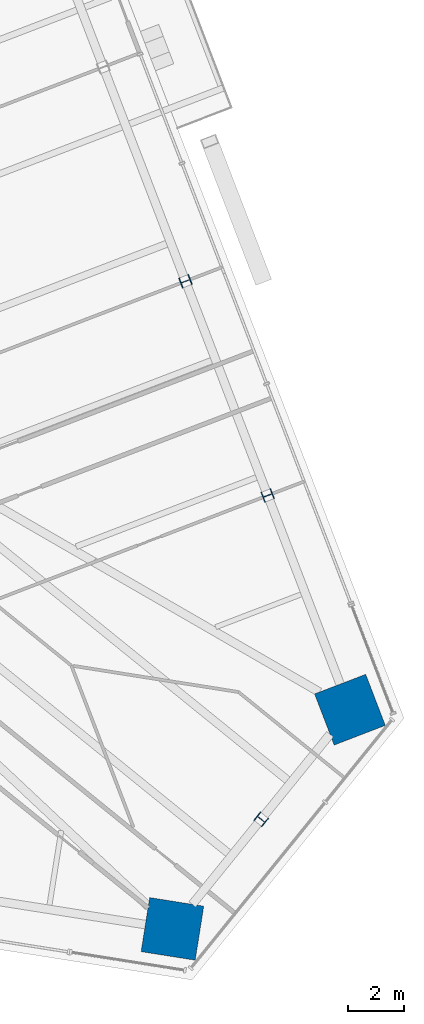
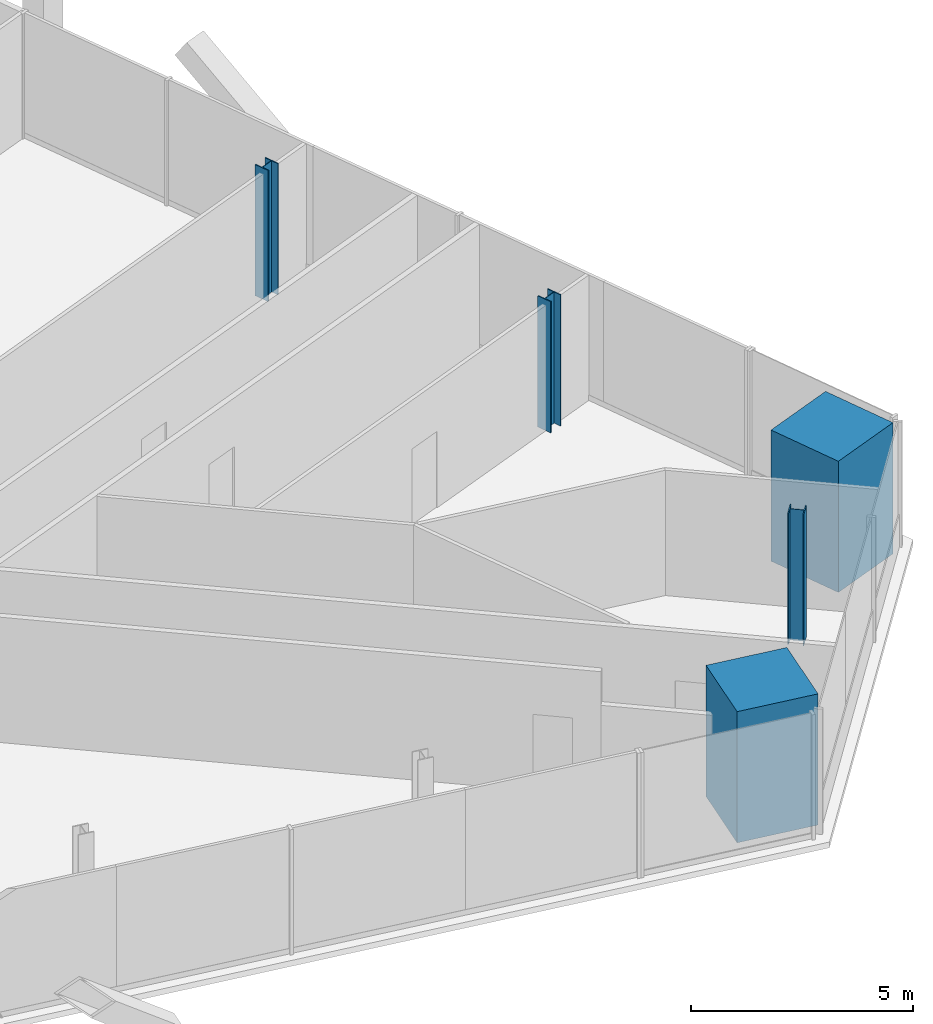
# One storey, part 2 of 19: 5 columns.
"""IFC4 building model written with IfcOpenShell, lengths in metres."""

from ifc_helpers import new_model, si_unit, direction, frame, origin, origin_2d, place, context, subcontext, project, spatial, rectangle, i_section, extrude, source, transform, mapped, material, material_profile, profile_set, type_object, element, save


model = new_model("IFC4")

# Units and contexts
model_context = context("Model", 3, precision=1e-05, world=origin(), true_north=direction((0.0, 1.0)))
body_context = subcontext(model_context, "Body", "Model", "MODEL_VIEW")
ifc_project = project(units=[si_unit("LENGTHUNIT", "METRE"), si_unit("AREAUNIT", "SQUARE_METRE"), si_unit("VOLUMEUNIT", "CUBIC_METRE"), si_unit("PLANEANGLEUNIT", "RADIAN"), si_unit("MASSUNIT", "GRAM", prefix="KILO")], contexts=[model_context])

# Site, building, storey
site_placement = place(None, origin())
site = spatial("IfcSite", under=ifc_project, at=site_placement, CompositionType="ELEMENT")
building_placement = place(site_placement, origin())
building = spatial("IfcBuilding", under=site, at=building_placement, Name="Triune Harvest Tower", CompositionType="ELEMENT")
storey_placement = place(building_placement, frame((0.0, 0.0, 149.699951171875)))
storey = spatial("IfcBuildingStorey", under=building, at=storey_placement, Name="L38", CompositionType="ELEMENT", Elevation=149.699951171875)

# Columns
ifc_material_1 = material(Name="Concrete 70 MPa", Category="concrete")
ifc_material_profile_1 = material_profile(ifc_material_1, rectangle(XDim=1.949951171875, YDim=1.949951171875, at=origin_2d()), Name="Composite 1950x1950")
ifc_profile_set_1 = profile_set([ifc_material_profile_1], Name="Concrete 70 MPa")
column_type_1 = type_object("IfcColumnType", Name="MC-4 Mega column Composite 1950x1950", PredefinedType="COLUMN", material=ifc_profile_set_1)
shared_shape_1 = source(origin(), body_context, "Body", "SweptSolid", [
    extrude(rectangle(XDim=1.949951171875, YDim=1.949951171875, at=origin_2d()), origin(), (0.0, 0.0, 1.0), 3.60009765625),
])
for number, where, z_axis, x_axis, name in (
    (1, (27.425048828125, -15.742431640625, 0.0), (0.0, 0.0, 1.0), (-0.358367949545, 0.933580426497, 0.0), "col/L38/M0"),
    (2, (21.100341796875, -23.552734375, 0.0), (0.0, 0.0, 1.0), (0.987688340595, -0.15643446504, 0.0), "col/L38/M22"),
):
    element("IfcColumn", number, at=place(storey_placement, frame(where, z_axis=z_axis, x_axis=x_axis)), inside=storey, type_object=column_type_1, Name=name, PredefinedType="COLUMN", context=body_context, shape_type="MappedRepresentation", body=[
        mapped(shared_shape_1, transform((0.0, 0.0, 0.0), scale=1.0)),
    ])
ifc_material_2 = material(Name="Steel ASTM A992 Gr 50", Category="steel")
ifc_material_profile_2 = material_profile(ifc_material_2, i_section(OverallWidth=0.373291015625, OverallDepth=0.373291015625, WebThickness=0.016357421875, FlangeThickness=0.026123046875, at=origin_2d()), Name="W14x132")
ifc_profile_set_2 = profile_set([ifc_material_profile_2], Name="Steel ASTM A992 Gr 50")
column_type_2 = type_object("IfcColumnType", Name="PC-4 Perimeter column W14x132", PredefinedType="COLUMN", material=ifc_profile_set_2)
shared_shape_2 = source(origin(), body_context, "Body", "SweptSolid", [
    extrude(i_section(OverallWidth=0.373291015625, OverallDepth=0.373291015625, WebThickness=0.016357421875, FlangeThickness=0.026123046875, at=origin_2d()), origin(), (0.0, 0.0, 1.0), 3.60009765625),
])
for number, where, z_axis, x_axis, name in (
    (3, (24.495361328125, -8.1103515625, 0.0), (0.0, 0.0, 1.0), (-0.358367949545, 0.933580426497, 0.0), "col/L38/P1"),
    (4, (21.565673828125, -0.478271484375, 0.0), (0.0, 0.0, 1.0), (-0.358367949545, 0.933580426497, 0.0), "col/L38/P2"),
    (5, (24.2626953125, -19.647705078125, 1.199951171875), (0.0, 0.0, 1.0), (0.629321747424, 0.777144863084, 0.0), "col/L38/P23"),
):
    element("IfcColumn", number, at=place(storey_placement, frame(where, z_axis=z_axis, x_axis=x_axis)), inside=storey, type_object=column_type_2, Name=name, PredefinedType="COLUMN", context=body_context, shape_type="MappedRepresentation", body=[
        mapped(shared_shape_2, transform((0.0, 0.0, 0.0), scale=1.0)),
    ])

save(model, "model.ifc")
